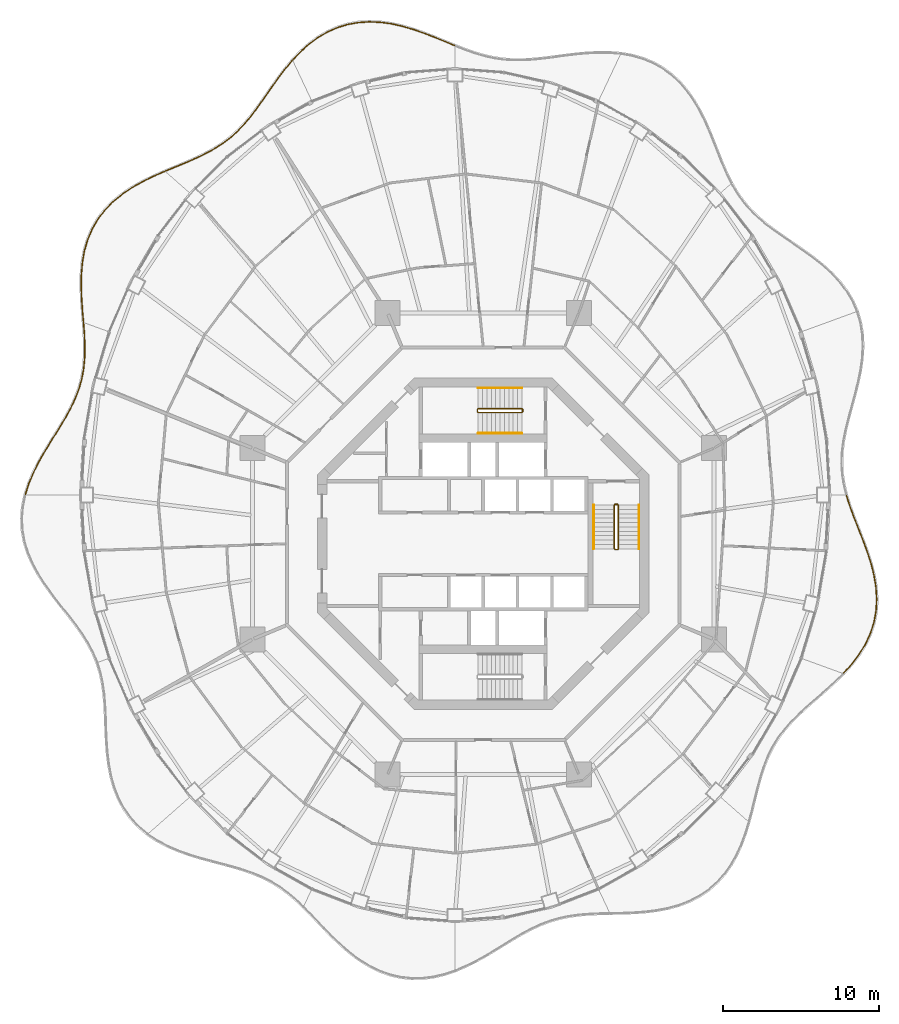
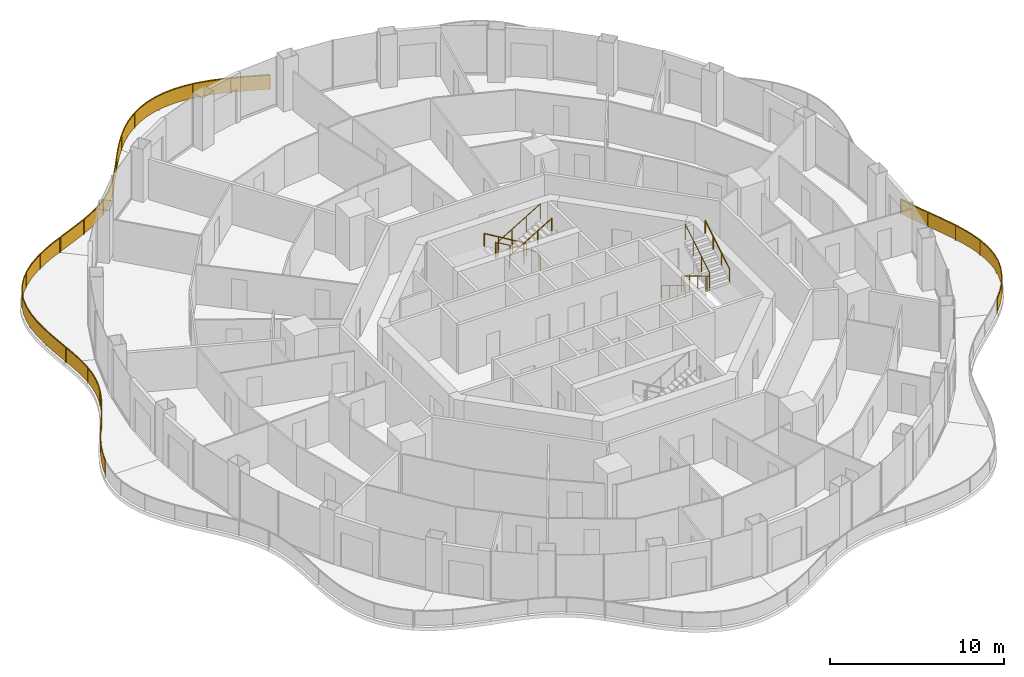
# One storey, part 17 of 18: 11 railings.
"""IFC4 building model written with IfcOpenShell, lengths in metres."""

from ifc_helpers import new_model, si_unit, direction, frame, origin, origin_2d, place, context, subcontext, project, spatial, polyline, rectangle, circle, outline, extrude, material, type_object, element, save


model = new_model("IFC4")

# Units and contexts
model_context = context("Model", 3, precision=1e-05, world=origin(), true_north=direction((0.0, 1.0)))
body_context = subcontext(model_context, "Body", "Model", "MODEL_VIEW")
ifc_project = project(units=[si_unit("LENGTHUNIT", "METRE"), si_unit("AREAUNIT", "SQUARE_METRE"), si_unit("VOLUMEUNIT", "CUBIC_METRE"), si_unit("PLANEANGLEUNIT", "RADIAN"), si_unit("MASSUNIT", "GRAM", prefix="KILO")], contexts=[model_context])

# Site, building, storey
site_placement = place(None, origin())
site = spatial("IfcSite", under=ifc_project, at=site_placement, CompositionType="ELEMENT")
building_placement = place(site_placement, origin())
building = spatial("IfcBuilding", under=site, at=building_placement, Name="Nagisa Residences", CompositionType="ELEMENT")
storey_placement = place(building_placement, frame((0.0, 0.0, 227.0)))
storey = spatial("IfcBuildingStorey", under=building, at=storey_placement, Name="L57", CompositionType="ELEMENT", Elevation=227.0)

# Railings
ifc_material_1 = material(Name="Stainless steel 316", Category="steel")
railing_type_1 = type_object("IfcRailingType", Name="BALCONY GUARD 1100", PredefinedType="BALUSTRADE", material=ifc_material_1)
railing_1_placement = place(storey_placement, frame((-1.833984375, 31.9140625, 0.0)))
element("IfcRailing", 1, at=railing_1_placement, inside=storey, type_object=railing_type_1, Name="guard:L57:bal04-0", PredefinedType="BALUSTRADE", context=body_context, shape_type="SweptSolid", body=[
    extrude(outline(polyline([(-0.61181640625, 0.227783203125), (-0.009521484375, -0.023193359375), (0.009521484375, 0.023193359375), (-0.5927734375, 0.274169921875), (-1.254638671875, 0.54541015625), (-1.933349609375, 0.809326171875), (-2.628173828125, 1.05126953125), (-3.3349609375, 1.25732421875), (-4.03515625, 1.417724609375), (-4.755859375, 1.515625), (-5.47412109375, 1.544189453125), (-6.18359375, 1.49658203125), (-6.87744140625, 1.369140625), (-7.532470703125, 1.16552734375), (-8.175537109375, 0.87841796875), (-8.787109375, 0.517333984375), (-9.363525390625, 0.090087890625), (-9.90380859375, -0.3935546875), (-10.37353515625, -0.890380859375), (-10.33740234375, -0.924560546875), (-9.86865234375, -0.4296875), (-9.331787109375, 0.051025390625), (-8.75927734375, 0.475341796875), (-8.152587890625, 0.833984375), (-7.514892578125, 1.11865234375), (-6.865234375, 1.3203125), (-6.17724609375, 1.44677734375), (-5.4736328125, 1.493896484375), (-4.76025390625, 1.4658203125), (-4.0439453125, 1.368408203125), (-3.34765625, 1.208984375), (-2.643310546875, 1.00341796875), (-1.950439453125, 0.762451171875), (-1.273193359375, 0.4990234375), (-0.61181640625, 0.227783203125)])), frame((0.0, 0.0, 1.050048828125)), (0.0, 0.0, 1.0), 0.050048828125),
    extrude(outline(polyline([(-0.60498046875, 0.24462890625), (-0.002685546875, -0.00634765625), (0.002685546875, 0.00634765625), (-0.599609375, 0.25732421875), (-1.26123046875, 0.52880859375), (-1.939453125, 0.79248046875), (-2.633544921875, 1.033935546875), (-3.339599609375, 1.239990234375), (-4.038330078125, 1.39990234375), (-4.75732421875, 1.497802734375), (-5.473876953125, 1.526123046875), (-6.181396484375, 1.478515625), (-6.873046875, 1.3515625), (-7.526123046875, 1.148681640625), (-8.167236328125, 0.862548828125), (-8.777099609375, 0.502197265625), (-9.35205078125, 0.075927734375), (-9.89111328125, -0.406494140625), (-10.360595703125, -0.902587890625), (-10.350341796875, -0.912353515625), (-9.88134765625, -0.416748046875), (-9.34326171875, 0.065185546875), (-8.769287109375, 0.490478515625), (-8.160888671875, 0.849853515625), (-7.521240234375, 1.135498046875), (-6.86962890625, 1.337890625), (-6.179443359375, 1.46484375), (-5.473876953125, 1.511962890625), (-4.7587890625, 1.483642578125), (-4.040771484375, 1.38623046875), (-3.343017578125, 1.226318359375), (-2.637939453125, 1.020751953125), (-1.9443359375, 0.779296875), (-1.2666015625, 0.515625), (-0.60498046875, 0.24462890625)])), frame((0.0, 0.0, 0.06005859375)), (0.0, 0.0, 1.0), 0.989990234375),
    extrude(rectangle(XDim=0.0400390625, YDim=0.0400390625, at=origin_2d()), origin(), (0.0, 0.0, 1.0), 1.050048828125),
    extrude(rectangle(XDim=0.0400390625, YDim=0.0400390625, at=origin_2d()), frame((-2.1064453125, 0.843017578125, 0.0)), (0.0, 0.0, 1.0), 1.050048828125),
    extrude(rectangle(XDim=0.0400390625, YDim=0.0400390625, at=origin_2d()), frame((-4.29443359375, 1.427734375, 0.0)), (0.0, 0.0, 1.0), 1.050048828125),
    extrude(rectangle(XDim=0.0400390625, YDim=0.0400390625, at=origin_2d()), frame((-6.551025390625, 1.403564453125, 0.0)), (0.0, 0.0, 1.0), 1.050048828125),
    extrude(rectangle(XDim=0.0400390625, YDim=0.0400390625, at=origin_2d()), frame((-8.645263671875, 0.57177734375, 0.0)), (0.0, 0.0, 1.0), 1.050048828125),
    extrude(rectangle(XDim=0.0400390625, YDim=0.0400390625, at=origin_2d()), frame((-10.35546875, -0.907470703125, 0.0)), (0.0, 0.0, 1.0), 1.050048828125),
])
railing_2_placement = place(storey_placement, frame((-12.240234375, 30.9482421875, 0.0)))
element("IfcRailing", 2, at=railing_2_placement, inside=storey, type_object=railing_type_1, Name="guard:L57:bal05-0", PredefinedType="BALUSTRADE", context=body_context, shape_type="SweptSolid", body=[
    extrude(outline(polyline([(-0.436279296875, -0.563232421875), (0.019287109375, -0.01611328125), (-0.019287109375, 0.01611328125), (-0.475341796875, -0.531982421875), (-0.933837890625, -1.134765625), (-1.3681640625, -1.743408203125), (-1.78662109375, -2.344482421875), (-2.1982421875, -2.92626953125), (-2.5986328125, -3.468994140625), (-3.024169921875, -3.983642578125), (-3.469970703125, -4.457275390625), (-3.94287109375, -4.887451171875), (-4.4482421875, -5.275634765625), (-4.9775390625, -5.615478515625), (-5.555908203125, -5.93408203125), (-6.169189453125, -6.22900390625), (-6.8125, -6.509765625), (-7.47900390625, -6.786376953125), (-8.118896484375, -7.050537109375), (-8.099853515625, -7.096923828125), (-7.4599609375, -6.832763671875), (-6.79296875, -6.5556640625), (-6.148193359375, -6.2744140625), (-5.532958984375, -5.978515625), (-4.9521484375, -5.658447265625), (-4.41943359375, -5.316650390625), (-3.91064453125, -4.926025390625), (-3.434814453125, -4.492919921875), (-2.986572265625, -4.016845703125), (-2.55908203125, -3.499755859375), (-2.15771484375, -2.95556640625), (-1.74560546875, -2.373291015625), (-1.3271484375, -1.772216796875), (-0.893310546875, -1.16455078125), (-0.436279296875, -0.563232421875)])), frame((0.0, 0.0, 1.050048828125)), (0.0, 0.0, 1.0), 0.050048828125),
    extrude(outline(polyline([(-0.450439453125, -0.552001953125), (0.00537109375, -0.00439453125), (-0.00537109375, 0.00439453125), (-0.461181640625, -0.543212890625), (-0.919189453125, -1.1455078125), (-1.353271484375, -1.753662109375), (-1.771728515625, -2.35498046875), (-2.18359375, -2.936767578125), (-2.58447265625, -3.47998046875), (-3.0107421875, -3.99560546875), (-3.457275390625, -4.47021484375), (-3.93115234375, -4.9013671875), (-4.43798828125, -5.29052734375), (-4.968505859375, -5.630859375), (-5.547607421875, -5.9501953125), (-6.16162109375, -6.245361328125), (-6.805419921875, -6.5263671875), (-7.47216796875, -6.80322265625), (-8.112060546875, -7.067138671875), (-8.106689453125, -7.080322265625), (-7.466796875, -6.81591796875), (-6.800048828125, -6.5390625), (-6.15576171875, -6.258056640625), (-5.541259765625, -5.96240234375), (-4.961181640625, -5.64306640625), (-4.4296875, -5.3017578125), (-3.92236328125, -4.912109375), (-3.447509765625, -4.47998046875), (-3.0, -4.0048828125), (-2.5732421875, -3.48876953125), (-2.17236328125, -2.945068359375), (-1.760498046875, -2.36279296875), (-1.342041015625, -1.761962890625), (-0.907958984375, -1.15380859375), (-0.450439453125, -0.552001953125)])), frame((0.0, 0.0, 0.06005859375)), (0.0, 0.0, 1.0), 0.989990234375),
    extrude(rectangle(XDim=0.0400390625, YDim=0.0400390625, at=origin_2d()), origin(), (0.0, 0.0, 1.0), 1.050048828125),
    extrude(rectangle(XDim=0.0400390625, YDim=0.0400390625, at=origin_2d()), frame((-1.341796875, -1.749755859375, 0.0)), (0.0, 0.0, 1.0), 1.050048828125),
    extrude(rectangle(XDim=0.0400390625, YDim=0.0400390625, at=origin_2d()), frame((-2.626953125, -3.54248046875, 0.0)), (0.0, 0.0, 1.0), 1.050048828125),
    extrude(rectangle(XDim=0.0400390625, YDim=0.0400390625, at=origin_2d()), frame((-4.179443359375, -5.100830078125, 0.0)), (0.0, 0.0, 1.0), 1.050048828125),
    extrude(rectangle(XDim=0.0400390625, YDim=0.0400390625, at=origin_2d()), frame((-6.078369140625, -6.213134765625, 0.0)), (0.0, 0.0, 1.0), 1.050048828125),
    extrude(rectangle(XDim=0.0400390625, YDim=0.0400390625, at=origin_2d()), frame((-8.109375, -7.07373046875, 0.0)), (0.0, 0.0, 1.0), 1.050048828125),
])
railing_3_placement = place(storey_placement, frame((-20.42041015625, 23.845947265625, 0.0)))
element("IfcRailing", 3, at=railing_3_placement, inside=storey, type_object=railing_type_1, Name="guard:L57:bal06-0", PredefinedType="BALUSTRADE", context=body_context, shape_type="SweptSolid", body=[
    extrude(outline(polyline([(-0.666259765625, -0.318115234375), (0.010009765625, -0.02294921875), (-0.010009765625, 0.02294921875), (-0.687255859375, -0.272705078125), (-1.394775390625, -0.618896484375), (-2.076904296875, -1.004638671875), (-2.7197265625, -1.43701171875), (-3.30908203125, -1.919189453125), (-3.826904296875, -2.445068359375), (-4.279052734375, -3.03515625), (-4.651611328125, -3.6748046875), (-4.942138671875, -4.359130859375), (-5.152099609375, -5.080322265625), (-5.27978515625, -5.8173828125), (-5.34716796875, -6.586669921875), (-5.35986328125, -7.366455078125), (-5.3310546875, -8.1474609375), (-5.27734375, -8.92236328125), (-5.21630859375, -9.6396484375), (-5.16650390625, -9.63525390625), (-5.2275390625, -8.91845703125), (-5.28125, -8.14501953125), (-5.3095703125, -7.365966796875), (-5.29736328125, -6.589111328125), (-5.22998046875, -5.82373046875), (-5.103271484375, -5.091552734375), (-4.894775390625, -4.375732421875), (-4.606689453125, -3.697265625), (-4.237548828125, -3.06298828125), (-3.789306640625, -2.477783203125), (-3.275390625, -1.956298828125), (-2.68994140625, -1.47705078125), (-2.050537109375, -1.047119140625), (-1.371337890625, -0.663330078125), (-0.666259765625, -0.318115234375)])), frame((0.0, 0.0, 1.050048828125)), (0.0, 0.0, 1.0), 0.050048828125),
    extrude(outline(polyline([(-0.673828125, -0.3017578125), (0.002685546875, -0.00634765625), (-0.002685546875, 0.00634765625), (-0.6796875, -0.2890625), (-1.38623046875, -0.635009765625), (-2.0673828125, -1.02001953125), (-2.708984375, -1.451416015625), (-3.296875, -1.9326171875), (-3.8134765625, -2.456787109375), (-4.26416015625, -3.045166015625), (-4.635498046875, -3.682861328125), (-4.925048828125, -4.364990234375), (-5.134521484375, -5.08447265625), (-5.26171875, -5.819580078125), (-5.329345703125, -6.587646484375), (-5.341796875, -7.3662109375), (-5.313232421875, -8.146728515625), (-5.259521484375, -8.9208984375), (-5.198486328125, -9.637939453125), (-5.184326171875, -9.636962890625), (-5.245361328125, -8.919921875), (-5.299072265625, -8.145751953125), (-5.32763671875, -7.3662109375), (-5.315185546875, -6.588134765625), (-5.248046875, -5.821533203125), (-5.120849609375, -5.08740234375), (-4.911865234375, -4.369873046875), (-4.622802734375, -3.689208984375), (-4.25244140625, -3.052978515625), (-3.802734375, -2.466064453125), (-3.28759765625, -1.94287109375), (-2.70068359375, -1.462646484375), (-2.06005859375, -1.03173828125), (-1.3798828125, -0.647216796875), (-0.673828125, -0.3017578125)])), frame((0.0, 0.0, 0.06005859375)), (0.0, 0.0, 1.0), 0.989990234375),
    extrude(rectangle(XDim=0.0400390625, YDim=0.0400390625, at=origin_2d()), origin(), (0.0, 0.0, 1.0), 1.050048828125),
    extrude(rectangle(XDim=0.0400390625, YDim=0.0400390625, at=origin_2d()), frame((-1.812744140625, -0.884033203125, 0.0)), (0.0, 0.0, 1.0), 1.050048828125),
    extrude(rectangle(XDim=0.0400390625, YDim=0.0400390625, at=origin_2d()), frame((-3.431396484375, -2.0791015625, 0.0)), (0.0, 0.0, 1.0), 1.050048828125),
    extrude(rectangle(XDim=0.0400390625, YDim=0.0400390625, at=origin_2d()), frame((-4.630859375, -3.68994140625, 0.0)), (0.0, 0.0, 1.0), 1.050048828125),
    extrude(rectangle(XDim=0.0400390625, YDim=0.0400390625, at=origin_2d()), frame((-5.21875, -5.612060546875, 0.0)), (0.0, 0.0, 1.0), 1.050048828125),
    extrude(rectangle(XDim=0.0400390625, YDim=0.0400390625, at=origin_2d()), frame((-5.3251953125, -7.6240234375, 0.0)), (0.0, 0.0, 1.0), 1.050048828125),
    extrude(rectangle(XDim=0.0400390625, YDim=0.0400390625, at=origin_2d()), frame((-5.19140625, -9.637451171875, 0.0)), (0.0, 0.0, 1.0), 1.050048828125),
])
railing_4_placement = place(storey_placement, frame((-25.60400390625, 14.13330078125, 0.0)))
element("IfcRailing", 4, at=railing_4_placement, inside=storey, type_object=railing_type_1, Name="guard:L57:bal07-0", PredefinedType="BALUSTRADE", context=body_context, shape_type="SweptSolid", body=[
    extrude(outline(polyline([(0.0791015625, -0.72119140625), (0.02490234375, 0.001953125), (-0.02490234375, -0.001953125), (0.029296875, -0.72412109375), (0.0595703125, -1.4677734375), (0.049560546875, -2.187744140625), (-0.0126953125, -2.884033203125), (-0.135009765625, -3.56005859375), (-0.318359375, -4.20654296875), (-0.568603515625, -4.855712890625), (-0.877197265625, -5.5009765625), (-1.2353515625, -6.1474609375), (-1.629638671875, -6.80078125), (-2.04248046875, -7.4521484375), (-2.458740234375, -8.13232421875), (-2.857666015625, -8.8291015625), (-3.219970703125, -9.54345703125), (-3.52734375, -10.273193359375), (-3.75146484375, -10.97119140625), (-3.70361328125, -10.986328125), (-3.48046875, -10.290771484375), (-3.174560546875, -9.564453125), (-2.813720703125, -8.85302734375), (-2.415771484375, -8.15771484375), (-2.0, -7.478515625), (-1.587158203125, -6.8271484375), (-1.19189453125, -6.17236328125), (-0.832763671875, -5.52392578125), (-0.522705078125, -4.875732421875), (-0.27099609375, -4.22216796875), (-0.086181640625, -3.5712890625), (0.037109375, -2.890869140625), (0.099365234375, -2.190185546875), (0.10986328125, -1.46728515625), (0.0791015625, -0.72119140625)])), frame((0.0, 0.0, 1.050048828125)), (0.0, 0.0, 1.0), 0.050048828125),
    extrude(outline(polyline([(0.061279296875, -0.72216796875), (0.007080078125, 0.00048828125), (-0.007080078125, -0.00048828125), (0.047119140625, -0.72314453125), (0.07763671875, -1.467529296875), (0.0673828125, -2.188720703125), (0.00537109375, -2.886474609375), (-0.117431640625, -3.564208984375), (-0.30126953125, -4.212158203125), (-0.552001953125, -4.863037109375), (-0.861083984375, -5.50927734375), (-1.2197265625, -6.156494140625), (-1.6142578125, -6.810302734375), (-2.027099609375, -7.461669921875), (-2.443359375, -8.141357421875), (-2.841796875, -8.837646484375), (-3.20361328125, -9.551025390625), (-3.510498046875, -10.279541015625), (-3.734130859375, -10.9765625), (-3.720947265625, -10.98095703125), (-3.497314453125, -10.284423828125), (-3.19091796875, -9.556884765625), (-2.82958984375, -8.844482421875), (-2.43115234375, -8.148681640625), (-2.015380859375, -7.468994140625), (-1.6025390625, -6.817626953125), (-1.20751953125, -6.163330078125), (-0.848876953125, -5.515625), (-0.539306640625, -4.868408203125), (-0.2880859375, -4.216552734375), (-0.103759765625, -3.567138671875), (0.01904296875, -2.888427734375), (0.08154296875, -2.189208984375), (0.091796875, -1.467529296875), (0.061279296875, -0.72216796875)])), frame((0.0, 0.0, 0.06005859375)), (0.0, 0.0, 1.0), 0.989990234375),
    extrude(rectangle(XDim=0.0400390625, YDim=0.0400390625, at=origin_2d()), origin(), (0.0, 0.0, 1.0), 1.050048828125),
    extrude(rectangle(XDim=0.0400390625, YDim=0.0400390625, at=origin_2d()), frame((0.058349609375, -2.369873046875, 0.0)), (0.0, 0.0, 1.0), 1.050048828125),
    extrude(rectangle(XDim=0.0400390625, YDim=0.0400390625, at=origin_2d()), frame((-0.470947265625, -4.671875, 0.0)), (0.0, 0.0, 1.0), 1.050048828125),
    extrude(rectangle(XDim=0.0400390625, YDim=0.0400390625, at=origin_2d()), frame((-1.579833984375, -6.766357421875, 0.0)), (0.0, 0.0, 1.0), 1.050048828125),
    extrude(rectangle(XDim=0.0400390625, YDim=0.0400390625, at=origin_2d()), frame((-2.809814453125, -8.795654296875, 0.0)), (0.0, 0.0, 1.0), 1.050048828125),
    extrude(rectangle(XDim=0.0400390625, YDim=0.0400390625, at=origin_2d()), frame((-3.7275390625, -10.978759765625, 0.0)), (0.0, 0.0, 1.0), 1.050048828125),
])
railing_5_placement = place(storey_placement, frame((23.0849609375, -8.289794921875, 0.0)))
element("IfcRailing", 5, at=railing_5_placement, inside=storey, type_object=railing_type_1, Name="guard:L57:bal15-0", PredefinedType="BALUSTRADE", context=body_context, shape_type="SweptSolid", body=[
    extrude(outline(polyline([(0.486328125, 0.574951171875), (-0.0185546875, 0.016845703125), (0.0185546875, -0.016845703125), (0.52490234375, 0.542724609375), (1.00390625, 1.170654296875), (1.411376953125, 1.83154296875), (1.736083984375, 2.52392578125), (1.968994140625, 3.244873046875), (2.10302734375, 3.97509765625), (2.145263671875, 4.73583984375), (2.09765625, 5.507080078125), (1.969970703125, 6.28173828125), (1.775390625, 7.05419921875), (1.528564453125, 7.8046875), (1.2509765625, 8.55712890625), (0.960205078125, 9.294921875), (0.676025390625, 10.017333984375), (0.415771484375, 10.725341796875), (0.20751953125, 11.381103515625), (0.15966796875, 11.365966796875), (0.368408203125, 10.709228515625), (0.629150390625, 9.999755859375), (0.913818359375, 9.2763671875), (1.2041015625, 8.5390625), (1.481201171875, 7.7880859375), (1.72705078125, 7.0400390625), (1.921142578125, 6.271484375), (2.0478515625, 5.501220703125), (2.094970703125, 4.73583984375), (2.05322265625, 3.98095703125), (1.920166015625, 3.257080078125), (1.689208984375, 2.54248046875), (1.367431640625, 1.85546875), (0.96240234375, 1.198974609375), (0.486328125, 0.574951171875)])), frame((0.0, 0.0, 1.050048828125)), (0.0, 0.0, 1.0), 0.050048828125),
    extrude(outline(polyline([(0.500244140625, 0.563232421875), (-0.005126953125, 0.004638671875), (0.005126953125, -0.004638671875), (0.510986328125, 0.554443359375), (0.989013671875, 1.180908203125), (1.3955078125, 1.840087890625), (1.71923828125, 2.530517578125), (1.951416015625, 3.249267578125), (2.085205078125, 3.977294921875), (2.127197265625, 4.73583984375), (2.079833984375, 5.5048828125), (1.952392578125, 6.278076171875), (1.758056640625, 7.049072265625), (1.511474609375, 7.798583984375), (1.234130859375, 8.550537109375), (0.943603515625, 9.288330078125), (0.6591796875, 10.010986328125), (0.398681640625, 10.719482421875), (0.190185546875, 11.375732421875), (0.177001953125, 11.371337890625), (0.385498046875, 10.715087890625), (0.64599609375, 10.006103515625), (0.930419921875, 9.282958984375), (1.220947265625, 8.545654296875), (1.498291015625, 7.794189453125), (1.744384765625, 7.045166015625), (1.938720703125, 6.275146484375), (2.065673828125, 5.50341796875), (2.113037109375, 4.73583984375), (2.071044921875, 3.978759765625), (1.937744140625, 3.252685546875), (1.7060546875, 2.535888671875), (1.38330078125, 1.846923828125), (0.977294921875, 1.188720703125), (0.500244140625, 0.563232421875)])), frame((0.0, 0.0, 0.06005859375)), (0.0, 0.0, 1.0), 0.989990234375),
    extrude(rectangle(XDim=0.0400390625, YDim=0.0400390625, at=origin_2d()), origin(), (0.0, 0.0, 1.0), 1.050048828125),
    extrude(rectangle(XDim=0.0400390625, YDim=0.0400390625, at=origin_2d()), frame((1.24853515625, 1.615234375, 0.0)), (0.0, 0.0, 1.0), 1.050048828125),
    extrude(rectangle(XDim=0.0400390625, YDim=0.0400390625, at=origin_2d()), frame((1.991943359375, 3.509033203125, 0.0)), (0.0, 0.0, 1.0), 1.050048828125),
    extrude(rectangle(XDim=0.0400390625, YDim=0.0400390625, at=origin_2d()), frame((2.066162109375, 5.54443359375, 0.0)), (0.0, 0.0, 1.0), 1.050048828125),
    extrude(rectangle(XDim=0.0400390625, YDim=0.0400390625, at=origin_2d()), frame((1.592041015625, 7.53173828125, 0.0)), (0.0, 0.0, 1.0), 1.050048828125),
    extrude(rectangle(XDim=0.0400390625, YDim=0.0400390625, at=origin_2d()), frame((0.873291015625, 9.447509765625, 0.0)), (0.0, 0.0, 1.0), 1.050048828125),
    extrude(rectangle(XDim=0.0400390625, YDim=0.0400390625, at=origin_2d()), frame((0.18359375, 11.37353515625, 0.0)), (0.0, 0.0, 1.0), 1.050048828125),
])
ifc_material_2 = material(Name="Stainless steel", Category="steel")
railing_type_2 = type_object("IfcRailingType", Name="Stair guard 1100", PredefinedType="GUARDRAIL", material=ifc_material_2)
railing_6_placement = place(storey_placement, frame((8.599609375, 2.52490234375, 0.0)))
element("IfcRailing", 6, at=railing_6_placement, inside=storey, type_object=railing_type_2, Name="L57 ST-E stair guard 1", PredefinedType="GUARDRAIL", context=body_context, shape_type="SweptSolid", body=[
    extrude(circle(Radius=0.02392578125, at=origin_2d()), frame((0.0, 0.0, 1.076171875), z_axis=(-1.0, 0.0, 0.0), x_axis=(0.0, -1.0, 0.0)), (0.0, 0.0, 1.0), 0.14990234375),
    extrude(circle(Radius=0.02392578125, at=origin_2d()), frame((-0.14990234375, 0.0, 1.076171875), z_axis=(-0.27434429532, -0.273006030465, 0.922064485248), x_axis=(0.705375805398, -0.708833529934, 0.0)), (0.0, 0.0, 1.0), 0.182373046875),
    extrude(circle(Radius=0.02392578125, at=origin_2d()), frame((-0.199951171875, -0.0498046875, 1.244140625), z_axis=(0.0, -0.857242210791, 0.514913383045), x_axis=(1.0, 0.0, 0.0)), (0.0, 0.0, 1.0), 3.266357421875),
    extrude(circle(Radius=0.02392578125, at=origin_2d()), frame((-0.199951171875, -2.849853515625, 2.92626953125), z_axis=(0.707106781187, -0.707106781187, 0.0), x_axis=(0.707106781187, 0.707106781187, 0.0)), (0.0, 0.0, 1.0), 0.07080078125),
    extrude(circle(Radius=0.02392578125, at=origin_2d()), frame((-0.14990234375, -2.89990234375, 2.92626953125), z_axis=(1.0, 0.0, 0.0), x_axis=(0.0, 1.0, 0.0)), (0.0, 0.0, 1.0), 0.14990234375),
    extrude(circle(Radius=0.02392578125, at=origin_2d()), frame((0.0, -2.89990234375, 2.92626953125), z_axis=(0.274582412415, 0.274582412415, 0.921525364591), x_axis=(-0.707106781187, 0.707106781187, 0.0)), (0.0, 0.0, 1.0), 0.182373046875),
    extrude(circle(Radius=0.02392578125, at=origin_2d()), frame((0.050048828125, -2.849853515625, 3.09423828125), z_axis=(0.0, 0.857242210791, 0.514913383045), x_axis=(-1.0, 0.0, 0.0)), (0.0, 0.0, 1.0), 3.266357421875),
    extrude(circle(Radius=0.02099609375, at=origin_2d()), origin(), (0.0, 0.0, 1.0), 1.052001953125),
    extrude(circle(Radius=0.02099609375, at=origin_2d()), frame((-0.14990234375, 0.0, 0.0)), (0.0, 0.0, 1.0), 1.052001953125),
    extrude(circle(Radius=0.02099609375, at=origin_2d()), frame((-0.199951171875, -0.0498046875, 0.168212890625)), (0.0, 0.0, 1.0), 1.052001953125),
    extrude(circle(Radius=0.02099609375, at=origin_2d()), frame((-0.199951171875, -0.983154296875, 0.728759765625)), (0.0, 0.0, 1.0), 1.052001953125),
    extrude(circle(Radius=0.02099609375, at=origin_2d()), frame((-0.199951171875, -1.91650390625, 1.28955078125)), (0.0, 0.0, 1.0), 1.052001953125),
    extrude(circle(Radius=0.02099609375, at=origin_2d()), frame((-0.199951171875, -2.849853515625, 1.85009765625)), (0.0, 0.0, 1.0), 1.052001953125),
    extrude(circle(Radius=0.02099609375, at=origin_2d()), frame((-0.14990234375, -2.89990234375, 1.85009765625)), (0.0, 0.0, 1.0), 1.052001953125),
    extrude(circle(Radius=0.02099609375, at=origin_2d()), frame((0.0, -2.89990234375, 1.85009765625)), (0.0, 0.0, 1.0), 1.052001953125),
    extrude(circle(Radius=0.02099609375, at=origin_2d()), frame((0.050048828125, -2.849853515625, 2.01806640625)), (0.0, 0.0, 1.0), 1.052001953125),
    extrude(circle(Radius=0.02099609375, at=origin_2d()), frame((0.050048828125, -1.91650390625, 2.57861328125)), (0.0, 0.0, 1.0), 1.052001953125),
    extrude(circle(Radius=0.02099609375, at=origin_2d()), frame((0.050048828125, -0.983154296875, 3.139404296875)), (0.0, 0.0, 1.0), 1.052001953125),
    extrude(circle(Radius=0.02099609375, at=origin_2d()), frame((0.050048828125, -0.0498046875, 3.699951171875)), (0.0, 0.0, 1.0), 1.052001953125),
])
railing_7_placement = place(storey_placement, frame((2.52490234375, 8.44970703125, 0.0)))
element("IfcRailing", 7, at=railing_7_placement, inside=storey, type_object=railing_type_2, Name="L57 ST-N stair guard 1", PredefinedType="GUARDRAIL", context=body_context, shape_type="SweptSolid", body=[
    extrude(circle(Radius=0.02392578125, at=origin_2d()), frame((0.0, 0.0, 1.076171875), z_axis=(0.0, 1.0, 0.0), x_axis=(-1.0, 0.0, 0.0)), (0.0, 0.0, 1.0), 0.14990234375),
    extrude(circle(Radius=0.02392578125, at=origin_2d()), frame((0.0, 0.14990234375, 1.076171875), z_axis=(-0.273006030465, 0.27434429532, 0.922064485248), x_axis=(-0.708833529934, -0.705375805398, 0.0)), (0.0, 0.0, 1.0), 0.182373046875),
    extrude(circle(Radius=0.02392578125, at=origin_2d()), frame((-0.0498046875, 0.199951171875, 1.244140625), z_axis=(-0.857242210791, 0.0, 0.514913383045), x_axis=(0.0, -1.0, 0.0)), (0.0, 0.0, 1.0), 3.266357421875),
    extrude(circle(Radius=0.02392578125, at=origin_2d()), frame((-2.849853515625, 0.199951171875, 2.92626953125), z_axis=(-0.707106781187, -0.707106781187, 0.0), x_axis=(0.707106781187, -0.707106781187, 0.0)), (0.0, 0.0, 1.0), 0.07080078125),
    extrude(circle(Radius=0.02392578125, at=origin_2d()), frame((-2.89990234375, 0.14990234375, 2.92626953125), z_axis=(0.0, -1.0, 0.0), x_axis=(1.0, 0.0, 0.0)), (0.0, 0.0, 1.0), 0.14990234375),
    extrude(circle(Radius=0.02392578125, at=origin_2d()), frame((-2.89990234375, 0.0, 2.92626953125), z_axis=(0.274582412415, -0.274582412415, 0.921525364591), x_axis=(0.707106781187, 0.707106781187, 0.0)), (0.0, 0.0, 1.0), 0.182373046875),
    extrude(circle(Radius=0.02392578125, at=origin_2d()), frame((-2.849853515625, -0.050048828125, 3.09423828125), z_axis=(0.857242210791, 0.0, 0.514913383045), x_axis=(0.0, 1.0, 0.0)), (0.0, 0.0, 1.0), 3.266357421875),
    extrude(circle(Radius=0.02099609375, at=origin_2d()), origin(), (0.0, 0.0, 1.0), 1.052001953125),
    extrude(circle(Radius=0.02099609375, at=origin_2d()), frame((0.0, 0.14990234375, 0.0)), (0.0, 0.0, 1.0), 1.052001953125),
    extrude(circle(Radius=0.02099609375, at=origin_2d()), frame((-0.0498046875, 0.199951171875, 0.168212890625)), (0.0, 0.0, 1.0), 1.052001953125),
    extrude(circle(Radius=0.02099609375, at=origin_2d()), frame((-0.983154296875, 0.199951171875, 0.728759765625)), (0.0, 0.0, 1.0), 1.052001953125),
    extrude(circle(Radius=0.02099609375, at=origin_2d()), frame((-1.91650390625, 0.199951171875, 1.28955078125)), (0.0, 0.0, 1.0), 1.052001953125),
    extrude(circle(Radius=0.02099609375, at=origin_2d()), frame((-2.849853515625, 0.199951171875, 1.85009765625)), (0.0, 0.0, 1.0), 1.052001953125),
    extrude(circle(Radius=0.02099609375, at=origin_2d()), frame((-2.89990234375, 0.14990234375, 1.85009765625)), (0.0, 0.0, 1.0), 1.052001953125),
    extrude(circle(Radius=0.02099609375, at=origin_2d()), frame((-2.89990234375, 0.0, 1.85009765625)), (0.0, 0.0, 1.0), 1.052001953125),
    extrude(circle(Radius=0.02099609375, at=origin_2d()), frame((-2.849853515625, -0.050048828125, 2.01806640625)), (0.0, 0.0, 1.0), 1.052001953125),
    extrude(circle(Radius=0.02099609375, at=origin_2d()), frame((-1.91650390625, -0.050048828125, 2.57861328125)), (0.0, 0.0, 1.0), 1.052001953125),
    extrude(circle(Radius=0.02099609375, at=origin_2d()), frame((-0.983154296875, -0.050048828125, 3.139404296875)), (0.0, 0.0, 1.0), 1.052001953125),
    extrude(circle(Radius=0.02099609375, at=origin_2d()), frame((-0.0498046875, -0.050048828125, 3.699951171875)), (0.0, 0.0, 1.0), 1.052001953125),
])
ifc_material_3 = material(Name="Stainless steel", Category="steel")
railing_type_3 = type_object("IfcRailingType", Name="Stair handrail 900", PredefinedType="HANDRAIL", material=ifc_material_3)
railing_8_placement = place(storey_placement, frame((7.07470703125, 2.47509765625, 0.168212890625)))
element("IfcRailing", 8, at=railing_8_placement, inside=storey, type_object=railing_type_3, Name="L57 ST-E stair handrail 1", PredefinedType="HANDRAIL", context=body_context, shape_type="SweptSolid", body=[
    extrude(circle(Radius=0.02392578125, at=origin_2d()), frame((0.0, 0.0, 0.8759765625), z_axis=(0.0, -0.857242210791, 0.514913383045), x_axis=(1.0, 0.0, 0.0)), (0.0, 0.0, 1.0), 3.266357421875),
    extrude(circle(Radius=0.02099609375, at=origin_2d()), origin(), (0.0, 0.0, 1.0), 0.851806640625),
    extrude(circle(Radius=0.02099609375, at=origin_2d()), frame((0.0, -0.933349609375, 0.560546875)), (0.0, 0.0, 1.0), 0.851806640625),
    extrude(circle(Radius=0.02099609375, at=origin_2d()), frame((0.0, -1.86669921875, 1.121337890625)), (0.0, 0.0, 1.0), 0.851806640625),
    extrude(circle(Radius=0.02099609375, at=origin_2d()), frame((0.0, -2.800048828125, 1.681884765625)), (0.0, 0.0, 1.0), 0.851806640625),
])
railing_9_placement = place(storey_placement, frame((9.974609375, -0.324951171875, 2.01806640625)))
element("IfcRailing", 9, at=railing_9_placement, inside=storey, type_object=railing_type_3, Name="L57 ST-E stair handrail 2", PredefinedType="HANDRAIL", context=body_context, shape_type="SweptSolid", body=[
    extrude(circle(Radius=0.02392578125, at=origin_2d()), frame((0.0, 0.0, 0.8759765625), z_axis=(0.0, 0.857242210791, 0.514913383045), x_axis=(-1.0, 0.0, 0.0)), (0.0, 0.0, 1.0), 3.266357421875),
    extrude(circle(Radius=0.02099609375, at=origin_2d()), origin(), (0.0, 0.0, 1.0), 0.851806640625),
    extrude(circle(Radius=0.02099609375, at=origin_2d()), frame((0.0, 0.933349609375, 0.560546875)), (0.0, 0.0, 1.0), 0.851806640625),
    extrude(circle(Radius=0.02099609375, at=origin_2d()), frame((0.0, 1.86669921875, 1.121337890625)), (0.0, 0.0, 1.0), 0.851806640625),
    extrude(circle(Radius=0.02099609375, at=origin_2d()), frame((0.0, 2.800048828125, 1.681884765625)), (0.0, 0.0, 1.0), 0.851806640625),
])
railing_10_placement = place(storey_placement, frame((2.47509765625, 9.974609375, 0.168212890625)))
element("IfcRailing", 10, at=railing_10_placement, inside=storey, type_object=railing_type_3, Name="L57 ST-N stair handrail 1", PredefinedType="HANDRAIL", context=body_context, shape_type="SweptSolid", body=[
    extrude(circle(Radius=0.02392578125, at=origin_2d()), frame((0.0, 0.0, 0.8759765625), z_axis=(-0.857242210791, 0.0, 0.514913383045), x_axis=(0.0, -1.0, 0.0)), (0.0, 0.0, 1.0), 3.266357421875),
    extrude(circle(Radius=0.02099609375, at=origin_2d()), origin(), (0.0, 0.0, 1.0), 0.851806640625),
    extrude(circle(Radius=0.02099609375, at=origin_2d()), frame((-0.933349609375, 0.0, 0.560546875)), (0.0, 0.0, 1.0), 0.851806640625),
    extrude(circle(Radius=0.02099609375, at=origin_2d()), frame((-1.86669921875, 0.0, 1.121337890625)), (0.0, 0.0, 1.0), 0.851806640625),
    extrude(circle(Radius=0.02099609375, at=origin_2d()), frame((-2.800048828125, 0.0, 1.681884765625)), (0.0, 0.0, 1.0), 0.851806640625),
])
railing_11_placement = place(storey_placement, frame((-0.324951171875, 7.07470703125, 2.01806640625)))
element("IfcRailing", 11, at=railing_11_placement, inside=storey, type_object=railing_type_3, Name="L57 ST-N stair handrail 2", PredefinedType="HANDRAIL", context=body_context, shape_type="SweptSolid", body=[
    extrude(circle(Radius=0.02392578125, at=origin_2d()), frame((0.0, 0.0, 0.8759765625), z_axis=(0.857242210791, 0.0, 0.514913383045), x_axis=(0.0, 1.0, 0.0)), (0.0, 0.0, 1.0), 3.266357421875),
    extrude(circle(Radius=0.02099609375, at=origin_2d()), origin(), (0.0, 0.0, 1.0), 0.851806640625),
    extrude(circle(Radius=0.02099609375, at=origin_2d()), frame((0.933349609375, 0.0, 0.560546875)), (0.0, 0.0, 1.0), 0.851806640625),
    extrude(circle(Radius=0.02099609375, at=origin_2d()), frame((1.86669921875, 0.0, 1.121337890625)), (0.0, 0.0, 1.0), 0.851806640625),
    extrude(circle(Radius=0.02099609375, at=origin_2d()), frame((2.800048828125, 0.0, 1.681884765625)), (0.0, 0.0, 1.0), 0.851806640625),
])

save(model, "model.ifc")
